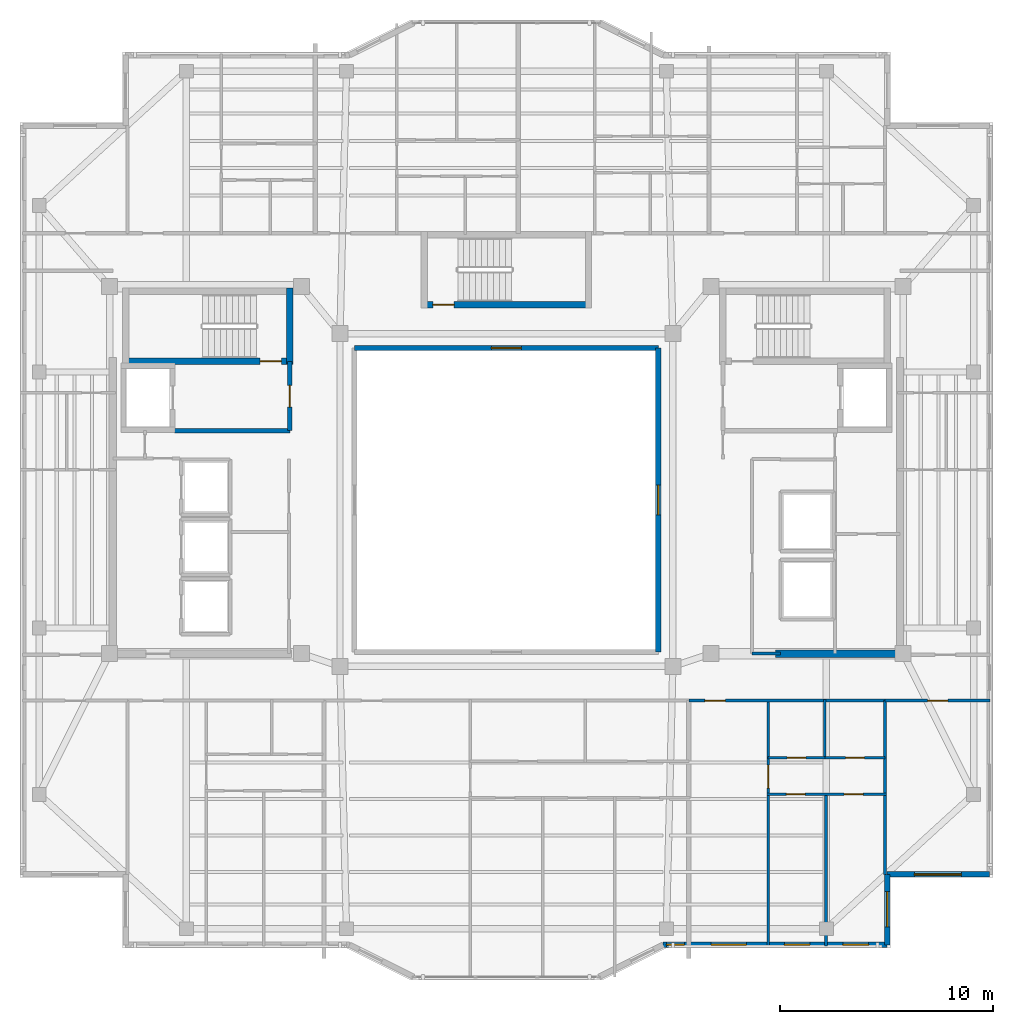
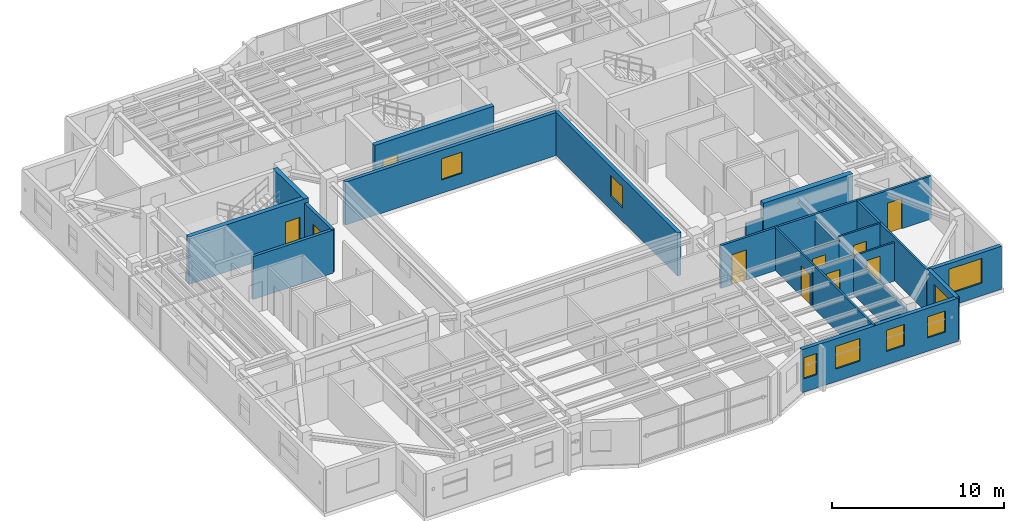
# One storey, part 8 of 15: 21 walls, 10 doors, 8 windows, 18 openings.
"""IFC4 building model written with IfcOpenShell, lengths in metres."""

from ifc_helpers import new_model, si_unit, direction, frame, frame_2d, origin, place, context, subcontext, project, spatial, rectangle, extrude, material, layer, layer_set, type_object, element, fill, save


model = new_model("IFC4")

# Units and contexts
model_context = context("Model", 3, precision=1e-05, world=origin(), true_north=direction((0.0, 1.0)))
body_context = subcontext(model_context, "Body", "Model", "MODEL_VIEW")
ifc_project = project(units=[si_unit("LENGTHUNIT", "METRE"), si_unit("AREAUNIT", "SQUARE_METRE"), si_unit("VOLUMEUNIT", "CUBIC_METRE"), si_unit("PLANEANGLEUNIT", "RADIAN"), si_unit("MASSUNIT", "GRAM", prefix="KILO")], contexts=[model_context])

# Site, building, storey
site_placement = place(None, origin())
site = spatial("IfcSite", under=ifc_project, at=site_placement, CompositionType="ELEMENT")
building_placement = place(site_placement, origin())
building = spatial("IfcBuilding", under=site, at=building_placement, Name="Tarnavaz Court Tower", CompositionType="ELEMENT")
storey_placement = place(building_placement, frame((0.0, 0.0, 268.300048828125)))
storey = spatial("IfcBuildingStorey", under=building, at=storey_placement, Name="L73", CompositionType="ELEMENT", Elevation=268.300048828125)

# Wall, opening, door
ifc_material_1 = material(Name="Concrete C50/60", Category="concrete")
ifc_layer_1 = layer(ifc_material_1, 0.300048828125)
ifc_layer_set_1 = layer_set([ifc_layer_1], Name="Concrete C50/60")
wall_type_1 = type_object("IfcWallType", Name="WL-CORE-300-C50", PredefinedType="SHEAR", material=ifc_layer_set_1)
wall_1_placement = place(storey_placement, frame((-18.0, 6.5, 0.0), z_axis=(0.0, 0.0, 1.0), x_axis=(1.0, 0.0, 0.0)))
wall_1 = element("IfcWall", 1, at=wall_1_placement, inside=storey, type_object=wall_type_1, Name="L73 West Stair Core Wall 002", PredefinedType="SHEAR", context=body_context, shape_type="SweptSolid", body=[
    extrude(rectangle(XDim=8.0, YDim=0.300048828125, at=frame_2d((4.0, 0.0))), origin(), (0.0, 0.0, 1.0), 3.349853515625),
])
opening_1_placement = place(wall_1_placement, frame((6.449951171875, 0.0, 0.0)))
opening_1 = element("IfcOpeningElement", 2, at=opening_1_placement, cuts=wall_1, Name="Opening D01", PredefinedType="OPENING", context=body_context, shape_type="SweptSolid", body=[
    extrude(rectangle(XDim=1.0, YDim=2.14990234375, at=frame_2d((0.5, 1.074951171875))), frame((0.0, 0.159912109375, 0.0), z_axis=(0.0, -1.0, 0.0), x_axis=(1.0, 0.0, 0.0)), (0.0, 0.0, 1.0), 0.320068359375),
])
ifc_material_2 = material(Name="Fire-Rated Hardwood Timber Core", Category="wood")
door_type_1 = type_object("IfcDoorType", Name="DR-FD90-1000", OperationType="NOTDEFINED", PredefinedType="DOOR", material=ifc_material_2)
door_1_placement = place(opening_1_placement, origin())
door_1 = element("IfcDoor", 3, at=door_1_placement, inside=storey, type_object=door_type_1, Name="L73 Stair ST-W1 Exit Door", OperationType="SINGLE_SWING_LEFT", OverallHeight=2.14990234375, OverallWidth=1.0, PredefinedType="DOOR", context=body_context, shape_type="SweptSolid", body=[
    extrude(rectangle(XDim=1.0, YDim=2.14990234375, at=frame_2d((0.5, 1.074951171875))), frame((0.0, 0.02490234375, 0.0), z_axis=(0.0, -1.0, 0.0), x_axis=(1.0, 0.0, 0.0)), (0.0, 0.0, 1.0), 0.050048828125),
])
fill(opening_1, door_1)

# Wall
wall_2_placement = place(storey_placement, frame((-10.14990234375, 6.35009765625, 0.0), z_axis=(0.0, 0.0, 1.0), x_axis=(0.0, 1.0, 0.0)))
element("IfcWall", 4, at=wall_2_placement, inside=storey, type_object=wall_type_1, Name="L73 West Stair Core Wall 004", PredefinedType="SHEAR", context=body_context, shape_type="SweptSolid", body=[
    extrude(rectangle(XDim=3.58984375, YDim=0.300048828125, at=frame_2d((1.794921875, 0.0))), origin(), (0.0, 0.0, 1.0), 3.349853515625),
])

# Wall, opening, door
wall_3_placement = place(storey_placement, frame((-4.0, 9.14990234375, 0.0), z_axis=(0.0, 0.0, 1.0), x_axis=(1.0, 0.0, 0.0)))
wall_3 = element("IfcWall", 5, at=wall_3_placement, inside=storey, type_object=wall_type_1, Name="L73 North Stair Core Wall 010", PredefinedType="SHEAR", context=body_context, shape_type="SweptSolid", body=[
    extrude(rectangle(XDim=8.0, YDim=0.300048828125, at=frame_2d((4.0, 0.0))), origin(), (0.0, 0.0, 1.0), 3.349853515625),
])
opening_2_placement = place(wall_3_placement, frame((0.550048828125, 0.0, 0.0)))
opening_2 = element("IfcOpeningElement", 6, at=opening_2_placement, cuts=wall_3, Name="Opening D01", PredefinedType="OPENING", context=body_context, shape_type="SweptSolid", body=[
    extrude(rectangle(XDim=1.0, YDim=2.14990234375, at=frame_2d((0.5, 1.074951171875))), frame((0.0, 0.159912109375, 0.0), z_axis=(0.0, -1.0, 0.0), x_axis=(1.0, 0.0, 0.0)), (0.0, 0.0, 1.0), 0.320068359375),
])
door_2_placement = place(opening_2_placement, origin())
door_2 = element("IfcDoor", 7, at=door_2_placement, inside=storey, type_object=door_type_1, Name="L73 Stair ST-N1 Exit Door", OperationType="SINGLE_SWING_LEFT", OverallHeight=2.14990234375, OverallWidth=1.0, PredefinedType="DOOR", context=body_context, shape_type="SweptSolid", body=[
    extrude(rectangle(XDim=1.0, YDim=2.14990234375, at=frame_2d((0.5, 1.074951171875))), frame((0.0, 0.02490234375, 0.0), z_axis=(0.0, -1.0, 0.0), x_axis=(1.0, 0.0, 0.0)), (0.0, 0.0, 1.0), 0.050048828125),
])
fill(opening_2, door_2)

# Wall
ifc_layer_2 = layer(ifc_material_1, 0.35009765625)
ifc_layer_set_2 = layer_set([ifc_layer_2], Name="Concrete C50/60")
wall_type_2 = type_object("IfcWallType", Name="WL-CORE-350-C50", PredefinedType="SHEAR", material=ifc_layer_set_2)
wall_4_placement = place(storey_placement, frame((12.625, -7.199951171875, 0.0), z_axis=(0.0, 0.0, 1.0), x_axis=(1.0, 0.0, 0.0)))
element("IfcWall", 8, at=wall_4_placement, inside=storey, type_object=wall_type_2, Name="L73 East Core South Shear Wall 048", PredefinedType="SHEAR", context=body_context, shape_type="SweptSolid", body=[
    extrude(rectangle(XDim=6.0, YDim=0.35009765625, at=frame_2d((3.0, 0.0))), origin(), (0.0, 0.0, 1.0), 3.349853515625),
])

# Wall, opening, window
ifc_material_3 = material(Name="Precast Concrete C40/50", Category="concrete")
ifc_layer_3 = layer(ifc_material_3, 0.260009765625)
ifc_layer_set_3 = layer_set([ifc_layer_3], Name="Precast Concrete C40/50")
wall_type_3 = type_object("IfcWallType", Name="WL-EXT-260", PredefinedType="SOLIDWALL", material=ifc_layer_set_3)
wall_5_placement = place(storey_placement, frame((22.64990234375, -17.550048828125, 0.0), z_axis=(0.0, 0.0, 1.0), x_axis=(-1.0, 0.0, 0.0)))
wall_5 = element("IfcWall", 9, at=wall_5_placement, inside=storey, type_object=wall_type_3, Name="L73 Exterior Terracotta Facade Wall 13", PredefinedType="SOLIDWALL", context=body_context, shape_type="SweptSolid", body=[
    extrude(rectangle(XDim=4.7998046875, YDim=0.260009765625, at=frame_2d((2.39990234375, 0.0))), origin(), (0.0, 0.0, 1.0), 3.050048828125),
])
opening_3_placement = place(wall_5_placement, frame((1.3251953125, 0.0, 0.89990234375)))
opening_3 = element("IfcOpeningElement", 10, at=opening_3_placement, cuts=wall_5, Name="Opening W07", PredefinedType="OPENING", context=body_context, shape_type="SweptSolid", body=[
    extrude(rectangle(XDim=2.199951171875, YDim=1.75, at=frame_2d((1.10009765625, 0.875))), frame((0.0, 0.139892578125, 0.0), z_axis=(0.0, -1.0, 0.0), x_axis=(1.0, 0.0, 0.0)), (0.0, 0.0, 1.0), 0.280029296875),
])
ifc_material_4 = material(Name="Double-Glazed Solar Low-E Glass", Category="glass")
window_type_1 = type_object("IfcWindowType", Name="WN-APT-2200", PartitioningType="TRIPLE_PANEL_VERTICAL", PredefinedType="WINDOW", material=ifc_material_4)
window_1_placement = place(opening_3_placement, origin())
window_1 = element("IfcWindow", 11, at=window_1_placement, inside=storey, type_object=window_type_1, Name="L73 South-East Corner Reading Room Window", OverallHeight=1.75, OverallWidth=2.199951171875, PartitioningType="SINGLE_PANEL", PredefinedType="WINDOW", context=body_context, shape_type="SweptSolid", body=[
    extrude(rectangle(XDim=2.199951171875, YDim=1.75, at=frame_2d((1.10009765625, 0.875))), frame((0.0, 0.030029296875, 0.0), z_axis=(0.0, -1.0, 0.0), x_axis=(1.0, 0.0, 0.0)), (0.0, 0.0, 1.0), 0.06005859375),
])
fill(opening_3, window_1)

wall_6_placement = place(storey_placement, frame((17.85009765625, -17.550048828125, 0.0), z_axis=(0.0, 0.0, 1.0), x_axis=(0.0, -1.0, 0.0)))
wall_6 = element("IfcWall", 12, at=wall_6_placement, inside=storey, type_object=wall_type_3, Name="L73 Exterior Terracotta Facade Wall 14", PredefinedType="SOLIDWALL", context=body_context, shape_type="SweptSolid", body=[
    extrude(rectangle(XDim=3.300048828125, YDim=0.260009765625, at=frame_2d((1.64990234375, 0.0))), origin(), (0.0, 0.0, 1.0), 3.050048828125),
])
opening_4_placement = place(wall_6_placement, frame((0.8076171875, 0.0, 0.89990234375)))
opening_4 = element("IfcOpeningElement", 13, at=opening_4_placement, cuts=wall_6, Name="Opening W02", PredefinedType="OPENING", context=body_context, shape_type="SweptSolid", body=[
    extrude(rectangle(XDim=1.64990234375, YDim=1.60009765625, at=frame_2d((0.824951171875, 0.800048828125))), frame((0.0, 0.139892578125, 0.0), z_axis=(0.0, -1.0, 0.0), x_axis=(1.0, 0.0, 0.0)), (0.0, 0.0, 1.0), 0.280029296875),
])
window_type_2 = type_object("IfcWindowType", Name="WN-APT-1650", PartitioningType="DOUBLE_PANEL_VERTICAL", PredefinedType="WINDOW", material=ifc_material_4)
window_2_placement = place(opening_4_placement, origin())
window_2 = element("IfcWindow", 14, at=window_2_placement, inside=storey, type_object=window_type_2, Name="L73 Flat 06 Bedroom 2 Window", OverallHeight=1.60009765625, OverallWidth=1.64990234375, PartitioningType="SINGLE_PANEL", PredefinedType="WINDOW", context=body_context, shape_type="SweptSolid", body=[
    extrude(rectangle(XDim=1.64990234375, YDim=1.60009765625, at=frame_2d((0.824951171875, 0.800048828125))), frame((0.0, 0.030029296875, 0.0), z_axis=(0.0, -1.0, 0.0), x_axis=(1.0, 0.0, 0.0)), (0.0, 0.0, 1.0), 0.06005859375),
])
fill(opening_4, window_2)

# Wall, openings, windows
wall_7_placement = place(storey_placement, frame((17.85009765625, -20.85009765625, 0.0), z_axis=(0.0, 0.0, 1.0), x_axis=(-1.0, 0.0, 0.0)))
wall_7 = element("IfcWall", 15, at=wall_7_placement, inside=storey, type_object=wall_type_3, Name="L73 Exterior Terracotta Facade Wall 15", PredefinedType="SOLIDWALL", context=body_context, shape_type="SweptSolid", body=[
    extrude(rectangle(XDim=10.5, YDim=0.260009765625, at=frame_2d((5.25, 0.0))), origin(), (0.0, 0.0, 1.0), 3.050048828125),
])
opening_5_placement = place(wall_7_placement, frame((0.875, 0.0, 0.949951171875)))
opening_5 = element("IfcOpeningElement", 16, at=opening_5_placement, cuts=wall_7, Name="Opening W05", PredefinedType="OPENING", context=body_context, shape_type="SweptSolid", body=[
    extrude(rectangle(XDim=1.199951171875, YDim=1.5, at=frame_2d((0.60009765625, 0.75))), frame((0.0, 0.139892578125, 0.0), z_axis=(0.0, -1.0, 0.0), x_axis=(1.0, 0.0, 0.0)), (0.0, 0.0, 1.0), 0.280029296875),
])
opening_6_placement = place(wall_7_placement, frame((3.625, 0.0, 0.949951171875)))
opening_6 = element("IfcOpeningElement", 17, at=opening_6_placement, cuts=wall_7, Name="Opening W05", PredefinedType="OPENING", context=body_context, shape_type="SweptSolid", body=[
    extrude(rectangle(XDim=1.199951171875, YDim=1.5, at=frame_2d((0.60009765625, 0.75))), frame((0.0, 0.139892578125, 0.0), z_axis=(0.0, -1.0, 0.0), x_axis=(1.0, 0.0, 0.0)), (0.0, 0.0, 1.0), 0.280029296875),
])
opening_7_placement = place(wall_7_placement, frame((6.60009765625, 0.0, 0.89990234375)))
opening_7 = element("IfcOpeningElement", 18, at=opening_7_placement, cuts=wall_7, Name="Opening W02", PredefinedType="OPENING", context=body_context, shape_type="SweptSolid", body=[
    extrude(rectangle(XDim=1.64990234375, YDim=1.60009765625, at=frame_2d((0.824951171875, 0.800048828125))), frame((0.0, 0.139892578125, 0.0), z_axis=(0.0, -1.0, 0.0), x_axis=(1.0, 0.0, 0.0)), (0.0, 0.0, 1.0), 0.280029296875),
])
opening_8_placement = place(wall_7_placement, frame((9.5048828125, 0.0, 0.949951171875)))
opening_8 = element("IfcOpeningElement", 19, at=opening_8_placement, cuts=wall_7, Name="Opening W15", PredefinedType="OPENING", context=body_context, shape_type="SweptSolid", body=[
    extrude(rectangle(XDim=0.85009765625, YDim=1.5, at=frame_2d((0.425048828125, 0.75))), frame((0.0, 0.139892578125, 0.0), z_axis=(0.0, -1.0, 0.0), x_axis=(1.0, 0.0, 0.0)), (0.0, 0.0, 1.0), 0.280029296875),
])
window_type_3 = type_object("IfcWindowType", Name="WN-APT-1200", PartitioningType="SINGLE_PANEL", PredefinedType="WINDOW", material=ifc_material_4)
window_3_placement = place(opening_5_placement, origin())
window_3 = element("IfcWindow", 20, at=window_3_placement, inside=storey, type_object=window_type_3, Name="L73 Flat 06 Bedroom 2 Window", OverallHeight=1.5, OverallWidth=1.199951171875, PartitioningType="SINGLE_PANEL", PredefinedType="WINDOW", context=body_context, shape_type="SweptSolid", body=[
    extrude(rectangle(XDim=1.199951171875, YDim=1.5, at=frame_2d((0.60009765625, 0.75))), frame((0.0, 0.030029296875, 0.0), z_axis=(0.0, -1.0, 0.0), x_axis=(1.0, 0.0, 0.0)), (0.0, 0.0, 1.0), 0.06005859375),
])
fill(opening_5, window_3)
window_4_placement = place(opening_6_placement, origin())
window_4 = element("IfcWindow", 21, at=window_4_placement, inside=storey, type_object=window_type_3, Name="L73 Flat 06 Principal Bedroom Window", OverallHeight=1.5, OverallWidth=1.199951171875, PartitioningType="SINGLE_PANEL", PredefinedType="WINDOW", context=body_context, shape_type="SweptSolid", body=[
    extrude(rectangle(XDim=1.199951171875, YDim=1.5, at=frame_2d((0.60009765625, 0.75))), frame((0.0, 0.030029296875, 0.0), z_axis=(0.0, -1.0, 0.0), x_axis=(1.0, 0.0, 0.0)), (0.0, 0.0, 1.0), 0.06005859375),
])
fill(opening_6, window_4)
window_5_placement = place(opening_7_placement, origin())
window_5 = element("IfcWindow", 22, at=window_5_placement, inside=storey, type_object=window_type_2, Name="L73 Flat 06 Living and Dining Room Window", OverallHeight=1.60009765625, OverallWidth=1.64990234375, PartitioningType="SINGLE_PANEL", PredefinedType="WINDOW", context=body_context, shape_type="SweptSolid", body=[
    extrude(rectangle(XDim=1.64990234375, YDim=1.60009765625, at=frame_2d((0.824951171875, 0.800048828125))), frame((0.0, 0.030029296875, 0.0), z_axis=(0.0, -1.0, 0.0), x_axis=(1.0, 0.0, 0.0)), (0.0, 0.0, 1.0), 0.06005859375),
])
fill(opening_7, window_5)
window_type_4 = type_object("IfcWindowType", Name="WN-APT-850", PartitioningType="SINGLE_PANEL", PredefinedType="WINDOW", material=ifc_material_4)
window_6_placement = place(opening_8_placement, origin())
window_6 = element("IfcWindow", 23, at=window_6_placement, inside=storey, type_object=window_type_4, Name="L73 Flat 07 Bedroom 3 Window", OverallHeight=1.5, OverallWidth=0.85009765625, PartitioningType="SINGLE_PANEL", PredefinedType="WINDOW", context=body_context, shape_type="SweptSolid", body=[
    extrude(rectangle(XDim=0.85009765625, YDim=1.5, at=frame_2d((0.425048828125, 0.75))), frame((0.0, 0.030029296875, 0.0), z_axis=(0.0, -1.0, 0.0), x_axis=(1.0, 0.0, 0.0)), (0.0, 0.0, 1.0), 0.06005859375),
])
fill(opening_8, window_6)

# Wall, opening, door
ifc_material_5 = material(Name="Gypsum Fire-Board on Acoustic Metal Stud", Category="masonry")
ifc_layer_4 = layer(ifc_material_5, 0.14990234375)
ifc_layer_set_4 = layer_set([ifc_layer_4], Name="Gypsum Fire-Board on Acoustic Metal Stud")
wall_type_4 = type_object("IfcWallType", Name="WL-FIRE-150", PredefinedType="PARTITIONING", material=ifc_layer_set_4)
wall_8_placement = place(storey_placement, frame((8.550048828125, -9.39990234375, 0.0), z_axis=(0.0, 0.0, 1.0), x_axis=(1.0, 0.0, 0.0)))
wall_8 = element("IfcWall", 24, at=wall_8_placement, inside=storey, type_object=wall_type_4, Name="L73 SE Lobby Wall 063", PredefinedType="PARTITIONING", context=body_context, shape_type="SweptSolid", body=[
    extrude(rectangle(XDim=9.199951171875, YDim=0.14990234375, at=frame_2d((4.60009765625, 0.0))), origin(), (0.0, 0.0, 1.0), 3.050048828125),
])
opening_9_placement = place(wall_8_placement, frame((0.75, 0.0, 0.0)))
opening_9 = element("IfcOpeningElement", 25, at=opening_9_placement, cuts=wall_8, Name="Opening D06", PredefinedType="OPENING", context=body_context, shape_type="SweptSolid", body=[
    extrude(rectangle(XDim=0.9599609375, YDim=2.14990234375, at=frame_2d((0.47998046875, 1.074951171875))), frame((0.0, 0.0849609375, 0.0), z_axis=(0.0, -1.0, 0.0), x_axis=(1.0, 0.0, 0.0)), (0.0, 0.0, 1.0), 0.169921875),
])
door_type_2 = type_object("IfcDoorType", Name="DR-FD60-950", OperationType="NOTDEFINED", PredefinedType="DOOR", material=ifc_material_2)
door_3_placement = place(opening_9_placement, origin())
door_3 = element("IfcDoor", 26, at=door_3_placement, inside=storey, type_object=door_type_2, Name="L73 Flat 06 Entrance Door", OperationType="SINGLE_SWING_RIGHT", OverallHeight=2.14990234375, OverallWidth=0.9599609375, PredefinedType="DOOR", context=body_context, shape_type="SweptSolid", body=[
    extrude(rectangle(XDim=0.9599609375, YDim=2.14990234375, at=frame_2d((0.47998046875, 1.074951171875))), frame((0.0, 0.02490234375, 0.0), z_axis=(0.0, -1.0, 0.0), x_axis=(1.0, 0.0, 0.0)), (0.0, 0.0, 1.0), 0.050048828125),
])
fill(opening_9, door_3)

wall_9_placement = place(storey_placement, frame((17.75, -9.39990234375, 0.0), z_axis=(0.0, 0.0, 1.0), x_axis=(1.0, 0.0, 0.0)))
wall_9 = element("IfcWall", 27, at=wall_9_placement, inside=storey, type_object=wall_type_4, Name="L73 Interior Partition 122", PredefinedType="PARTITIONING", context=body_context, shape_type="SweptSolid", body=[
    extrude(rectangle(XDim=4.929931640625, YDim=0.14990234375, at=frame_2d((2.46484375, 0.0))), origin(), (0.0, 0.0, 1.0), 3.050048828125),
])
opening_10_placement = place(wall_9_placement, frame((1.989990234375, 0.0, 0.0)))
opening_10 = element("IfcOpeningElement", 28, at=opening_10_placement, cuts=wall_9, Name="Opening D13", PredefinedType="OPENING", context=body_context, shape_type="SweptSolid", body=[
    extrude(rectangle(XDim=0.949951171875, YDim=2.14990234375, at=frame_2d((0.47509765625, 1.074951171875))), frame((0.0, 0.0849609375, 0.0), z_axis=(0.0, -1.0, 0.0), x_axis=(1.0, 0.0, 0.0)), (0.0, 0.0, 1.0), 0.169921875),
])
ifc_material_6 = material(Name="Engineered Oak Timber", Category="wood")
door_type_3 = type_object("IfcDoorType", Name="DR-INT-950", OperationType="NOTDEFINED", PredefinedType="DOOR", material=ifc_material_6)
door_4_placement = place(opening_10_placement, origin())
door_4 = element("IfcDoor", 29, at=door_4_placement, inside=storey, type_object=door_type_3, Name="L73 SE Reading Room Door", OperationType="SINGLE_SWING_RIGHT", OverallHeight=2.14990234375, OverallWidth=0.949951171875, PredefinedType="DOOR", context=body_context, shape_type="SweptSolid", body=[
    extrude(rectangle(XDim=0.949951171875, YDim=2.14990234375, at=frame_2d((0.47509765625, 1.074951171875))), frame((0.0, 0.02490234375, 0.0), z_axis=(0.0, -1.0, 0.0), x_axis=(1.0, 0.0, 0.0)), (0.0, 0.0, 1.0), 0.050048828125),
])
fill(opening_10, door_4)

# Wall
ifc_material_7 = material(Name="Autoclaved Aerated Concrete Blockwork", Category="masonry")
ifc_layer_5 = layer(ifc_material_7, 0.199951171875)
ifc_layer_set_5 = layer_set([ifc_layer_5], Name="Autoclaved Aerated Concrete Blockwork")
wall_type_5 = type_object("IfcWallType", Name="WL-FIRE-200", PredefinedType="SOLIDWALL", material=ifc_layer_set_5)
wall_10_placement = place(storey_placement, frame((-15.550048828125, 3.25, 0.0), z_axis=(0.0, 0.0, 1.0), x_axis=(1.0, 0.0, 0.0)))
element("IfcWall", 30, at=wall_10_placement, inside=storey, type_object=wall_type_5, Name="L73 West Firefighting Lobby Wall 013", PredefinedType="SOLIDWALL", context=body_context, shape_type="SweptSolid", body=[
    extrude(rectangle(XDim=5.400146484375, YDim=0.199951171875, at=frame_2d((2.7001953125, 0.0))), origin(), (0.0, 0.0, 1.0), 3.050048828125),
])

# Wall, opening, door
wall_11_placement = place(storey_placement, frame((-10.14990234375, 3.25, 0.0), z_axis=(0.0, 0.0, 1.0), x_axis=(0.0, 1.0, 0.0)))
wall_11 = element("IfcWall", 31, at=wall_11_placement, inside=storey, type_object=wall_type_5, Name="L73 West Firefighting Lobby Wall 014", PredefinedType="SOLIDWALL", context=body_context, shape_type="SweptSolid", body=[
    extrude(rectangle(XDim=3.25, YDim=0.199951171875, at=frame_2d((1.625, 0.0))), origin(), (0.0, 0.0, 1.0), 3.050048828125),
])
opening_11_placement = place(wall_11_placement, frame((1.10009765625, 0.0, 0.0)))
opening_11 = element("IfcOpeningElement", 32, at=opening_11_placement, cuts=wall_11, Name="Opening D05", PredefinedType="OPENING", context=body_context, shape_type="SweptSolid", body=[
    extrude(rectangle(XDim=1.02001953125, YDim=2.14990234375, at=frame_2d((0.510009765625, 1.074951171875))), frame((0.0, 0.10986328125, 0.0), z_axis=(0.0, -1.0, 0.0), x_axis=(1.0, 0.0, 0.0)), (0.0, 0.0, 1.0), 0.219970703125),
])
door_type_4 = type_object("IfcDoorType", Name="DR-FD60-1000", OperationType="NOTDEFINED", PredefinedType="DOOR", material=ifc_material_2)
door_5_placement = place(opening_11_placement, origin())
door_5 = element("IfcDoor", 33, at=door_5_placement, inside=storey, type_object=door_type_4, Name="L73 West Firefighting Lobby Door", OperationType="SINGLE_SWING_RIGHT", OverallHeight=2.14990234375, OverallWidth=1.02001953125, PredefinedType="DOOR", context=body_context, shape_type="SweptSolid", body=[
    extrude(rectangle(XDim=1.02001953125, YDim=2.14990234375, at=frame_2d((0.510009765625, 1.074951171875))), frame((0.0, 0.02490234375, 0.0), z_axis=(0.0, -1.0, 0.0), x_axis=(1.0, 0.0, 0.0)), (0.0, 0.0, 1.0), 0.050048828125),
])
fill(opening_11, door_5)

ifc_material_8 = material(Name="Moisture-Resistant Gypsum Board Partition", Category="masonry")
ifc_layer_6 = layer(ifc_material_8, 0.1201171875)
ifc_layer_set_6 = layer_set([ifc_layer_6], Name="Moisture-Resistant Gypsum Board Partition")
wall_type_6 = type_object("IfcWallType", Name="WL-PART-120", PredefinedType="PARTITIONING", material=ifc_layer_set_6)
wall_12_placement = place(storey_placement, frame((12.27197265625, -20.89990234375, 0.0), z_axis=(0.0, 0.0, 1.0), x_axis=(0.0, 1.0, 0.0)))
wall_12 = element("IfcWall", 34, at=wall_12_placement, inside=storey, type_object=wall_type_6, Name="L73 Interior Partition 095", PredefinedType="PARTITIONING", context=body_context, shape_type="SweptSolid", body=[
    extrude(rectangle(XDim=11.559814453125, YDim=0.1201171875, at=frame_2d((5.77978515625, 0.0))), origin(), (0.0, 0.0, 1.0), 3.050048828125),
])
opening_12_placement = place(wall_12_placement, frame((7.39501953125, 0.0, 0.0)))
opening_12 = element("IfcOpeningElement", 35, at=opening_12_placement, cuts=wall_12, Name="Opening D12", PredefinedType="OPENING", context=body_context, shape_type="SweptSolid", body=[
    extrude(rectangle(XDim=1.080078125, YDim=2.14990234375, at=frame_2d((0.5400390625, 1.074951171875))), frame((0.0, 0.070068359375, 0.0), z_axis=(0.0, -1.0, 0.0), x_axis=(1.0, 0.0, 0.0)), (0.0, 0.0, 1.0), 0.14013671875),
])
door_type_5 = type_object("IfcDoorType", Name="DR-INT-1100", OperationType="NOTDEFINED", PredefinedType="DOOR", material=ifc_material_6)
door_6_placement = place(opening_12_placement, origin())
door_6 = element("IfcDoor", 36, at=door_6_placement, inside=storey, type_object=door_type_5, Name="L73 Flat 06 Foyer Door", OperationType="SINGLE_SWING_LEFT", OverallHeight=2.14990234375, OverallWidth=1.080078125, PredefinedType="DOOR", context=body_context, shape_type="SweptSolid", body=[
    extrude(rectangle(XDim=1.080078125, YDim=2.14990234375, at=frame_2d((0.5400390625, 1.074951171875))), frame((0.0, 0.02490234375, 0.0), z_axis=(0.0, -1.0, 0.0), x_axis=(1.0, 0.0, 0.0)), (0.0, 0.0, 1.0), 0.050048828125),
])
fill(opening_12, door_6)

wall_13_placement = place(storey_placement, frame((12.27197265625, -12.080078125, 0.0), z_axis=(0.0, 0.0, 1.0), x_axis=(1.0, 0.0, 0.0)))
wall_13 = element("IfcWall", 37, at=wall_13_placement, inside=storey, type_object=wall_type_6, Name="L73 Interior Partition 096", PredefinedType="PARTITIONING", context=body_context, shape_type="SweptSolid", body=[
    extrude(rectangle(XDim=2.655029296875, YDim=0.1201171875, at=frame_2d((1.32763671875, 0.0))), origin(), (0.0, 0.0, 1.0), 2.73486328125),
])
opening_13_placement = place(wall_13_placement, frame((0.886962890625, 0.0, 0.0)))
opening_13 = element("IfcOpeningElement", 38, at=opening_13_placement, cuts=wall_13, Name="Opening D14", PredefinedType="OPENING", context=body_context, shape_type="SweptSolid", body=[
    extrude(rectangle(XDim=0.8798828125, YDim=2.10009765625, at=frame_2d((0.43994140625, 1.050048828125))), frame((0.0, 0.070068359375, 0.0), z_axis=(0.0, -1.0, 0.0), x_axis=(1.0, 0.0, 0.0)), (0.0, 0.0, 1.0), 0.14013671875),
])
door_type_6 = type_object("IfcDoorType", Name="DR-INT-900", OperationType="NOTDEFINED", PredefinedType="DOOR", material=ifc_material_6)
door_7_placement = place(opening_13_placement, origin())
door_7 = element("IfcDoor", 39, at=door_7_placement, inside=storey, type_object=door_type_6, Name="L73 Flat 06 Kitchen Door", OperationType="SINGLE_SWING_RIGHT", OverallHeight=2.10009765625, OverallWidth=0.8798828125, PredefinedType="DOOR", context=body_context, shape_type="SweptSolid", body=[
    extrude(rectangle(XDim=0.8798828125, YDim=2.10009765625, at=frame_2d((0.43994140625, 1.050048828125))), frame((0.0, 0.02490234375, 0.0), z_axis=(0.0, -1.0, 0.0), x_axis=(1.0, 0.0, 0.0)), (0.0, 0.0, 1.0), 0.050048828125),
])
fill(opening_13, door_7)

wall_14_placement = place(storey_placement, frame((14.927001953125, -12.080078125, 0.0), z_axis=(0.0, 0.0, 1.0), x_axis=(1.0, 0.0, 0.0)))
wall_14 = element("IfcWall", 40, at=wall_14_placement, inside=storey, type_object=wall_type_6, Name="L73 Interior Partition 097", PredefinedType="PARTITIONING", context=body_context, shape_type="SweptSolid", body=[
    extrude(rectangle(XDim=2.822998046875, YDim=0.1201171875, at=frame_2d((1.41162109375, 0.0))), origin(), (0.0, 0.0, 1.0), 3.050048828125),
])
opening_14_placement = place(wall_14_placement, frame((0.971923828125, 0.0, 0.0)))
opening_14 = element("IfcOpeningElement", 41, at=opening_14_placement, cuts=wall_14, Name="Opening D14", PredefinedType="OPENING", context=body_context, shape_type="SweptSolid", body=[
    extrude(rectangle(XDim=0.8798828125, YDim=2.10009765625, at=frame_2d((0.43994140625, 1.050048828125))), frame((0.0, 0.070068359375, 0.0), z_axis=(0.0, -1.0, 0.0), x_axis=(1.0, 0.0, 0.0)), (0.0, 0.0, 1.0), 0.14013671875),
])
door_8_placement = place(opening_14_placement, origin())
door_8 = element("IfcDoor", 42, at=door_8_placement, inside=storey, type_object=door_type_6, Name="L73 Flat 06 Bathroom Door", OperationType="SINGLE_SWING_LEFT", OverallHeight=2.10009765625, OverallWidth=0.8798828125, PredefinedType="DOOR", context=body_context, shape_type="SweptSolid", body=[
    extrude(rectangle(XDim=0.8798828125, YDim=2.10009765625, at=frame_2d((0.43994140625, 1.050048828125))), frame((0.0, 0.02490234375, 0.0), z_axis=(0.0, -1.0, 0.0), x_axis=(1.0, 0.0, 0.0)), (0.0, 0.0, 1.0), 0.050048828125),
])
fill(opening_14, door_8)

# Wall, openings, doors
wall_15_placement = place(storey_placement, frame((12.2119140625, -13.7900390625, 0.0), z_axis=(0.0, 0.0, 1.0), x_axis=(1.0, 0.0, 0.0)))
wall_15 = element("IfcWall", 43, at=wall_15_placement, inside=storey, type_object=wall_type_6, Name="L73 Interior Partition 098", PredefinedType="PARTITIONING", context=body_context, shape_type="SweptSolid", body=[
    extrude(rectangle(XDim=5.59814453125, YDim=0.1201171875, at=frame_2d((2.799072265625, 0.0))), origin(), (0.0, 0.0, 1.0), 2.73486328125),
])
opening_15_placement = place(wall_15_placement, frame((0.9150390625, 0.0, 0.0)))
opening_15 = element("IfcOpeningElement", 44, at=opening_15_placement, cuts=wall_15, Name="Opening D14", PredefinedType="OPENING", context=body_context, shape_type="SweptSolid", body=[
    extrude(rectangle(XDim=0.8798828125, YDim=2.10009765625, at=frame_2d((0.43994140625, 1.050048828125))), frame((0.0, 0.070068359375, 0.0), z_axis=(0.0, -1.0, 0.0), x_axis=(1.0, 0.0, 0.0)), (0.0, 0.0, 1.0), 0.14013671875),
])
opening_16_placement = place(wall_15_placement, frame((3.6240234375, 0.0, 0.0)))
opening_16 = element("IfcOpeningElement", 45, at=opening_16_placement, cuts=wall_15, Name="Opening D14", PredefinedType="OPENING", context=body_context, shape_type="SweptSolid", body=[
    extrude(rectangle(XDim=0.8798828125, YDim=2.10009765625, at=frame_2d((0.43994140625, 1.050048828125))), frame((0.0, 0.070068359375, 0.0), z_axis=(0.0, -1.0, 0.0), x_axis=(1.0, 0.0, 0.0)), (0.0, 0.0, 1.0), 0.14013671875),
])
door_9_placement = place(opening_15_placement, origin())
door_9 = element("IfcDoor", 46, at=door_9_placement, inside=storey, type_object=door_type_6, Name="L73 Flat 06 Bedroom 1 Door", OperationType="SINGLE_SWING_RIGHT", OverallHeight=2.10009765625, OverallWidth=0.8798828125, PredefinedType="DOOR", context=body_context, shape_type="SweptSolid", body=[
    extrude(rectangle(XDim=0.8798828125, YDim=2.10009765625, at=frame_2d((0.43994140625, 1.050048828125))), frame((0.0, 0.02490234375, 0.0), z_axis=(0.0, -1.0, 0.0), x_axis=(1.0, 0.0, 0.0)), (0.0, 0.0, 1.0), 0.050048828125),
])
fill(opening_15, door_9)
door_10_placement = place(opening_16_placement, origin())
door_10 = element("IfcDoor", 47, at=door_10_placement, inside=storey, type_object=door_type_6, Name="L73 Flat 06 Bedroom 2 Door", OperationType="SINGLE_SWING_LEFT", OverallHeight=2.10009765625, OverallWidth=0.8798828125, PredefinedType="DOOR", context=body_context, shape_type="SweptSolid", body=[
    extrude(rectangle(XDim=0.8798828125, YDim=2.10009765625, at=frame_2d((0.43994140625, 1.050048828125))), frame((0.0, 0.02490234375, 0.0), z_axis=(0.0, -1.0, 0.0), x_axis=(1.0, 0.0, 0.0)), (0.0, 0.0, 1.0), 0.050048828125),
])
fill(opening_16, door_10)

# Walls
wall_16_placement = place(storey_placement, frame((14.927001953125, -12.139892578125, 0.0), z_axis=(0.0, 0.0, 1.0), x_axis=(0.0, 1.0, 0.0)))
element("IfcWall", 48, at=wall_16_placement, inside=storey, type_object=wall_type_6, Name="L73 Interior Partition 099", PredefinedType="PARTITIONING", context=body_context, shape_type="SweptSolid", body=[
    extrude(rectangle(XDim=2.7998046875, YDim=0.1201171875, at=frame_2d((1.39990234375, 0.0))), origin(), (0.0, 0.0, 1.0), 2.635009765625),
])
wall_17_placement = place(storey_placement, frame((14.98095703125, -20.89990234375, 0.0), z_axis=(0.0, 0.0, 1.0), x_axis=(0.0, 1.0, 0.0)))
element("IfcWall", 49, at=wall_17_placement, inside=storey, type_object=wall_type_6, Name="L73 Interior Partition 100", PredefinedType="PARTITIONING", context=body_context, shape_type="SweptSolid", body=[
    extrude(rectangle(XDim=7.169921875, YDim=0.1201171875, at=frame_2d((3.5849609375, 0.0))), origin(), (0.0, 0.0, 1.0), 2.635009765625),
])
ifc_material_9 = material(Name="Gypsum Plasterboard Acoustic Partition", Category="masonry")
ifc_layer_7 = layer(ifc_material_9, 0.139892578125)
ifc_layer_set_7 = layer_set([ifc_layer_7], Name="Gypsum Plasterboard Acoustic Partition")
wall_type_7 = type_object("IfcWallType", Name="WL-PART-150", PredefinedType="PARTITIONING", material=ifc_layer_set_7)
wall_18_placement = place(storey_placement, frame((11.52001953125, -7.199951171875, 0.0), z_axis=(0.0, 0.0, 1.0), x_axis=(1.0, 0.0, 0.0)))
element("IfcWall", 50, at=wall_18_placement, inside=storey, type_object=wall_type_7, Name="L73 Interior Partition 059", PredefinedType="PARTITIONING", context=body_context, shape_type="SweptSolid", body=[
    extrude(rectangle(XDim=1.330078125, YDim=0.139892578125, at=frame_2d((0.6650390625, 0.0))), origin(), (0.0, 0.0, 1.0), 2.219970703125),
])
wall_19_placement = place(storey_placement, frame((17.75, -17.550048828125, 0.0), z_axis=(0.0, 0.0, 1.0), x_axis=(0.0, 1.0, 0.0)))
element("IfcWall", 51, at=wall_19_placement, inside=storey, type_object=wall_type_7, Name="L73 Interior Partition 116", PredefinedType="PARTITIONING", context=body_context, shape_type="SweptSolid", body=[
    extrude(rectangle(XDim=8.150146484375, YDim=0.139892578125, at=frame_2d((4.0751953125, 0.0))), origin(), (0.0, 0.0, 1.0), 3.050048828125),
])

# Wall, opening, window
ifc_layer_8 = layer(ifc_material_3, 0.239990234375)
ifc_layer_set_8 = layer_set([ifc_layer_8], Name="Precast Concrete C40/50")
wall_type_8 = type_object("IfcWallType", Name="WL-WELL-240", PredefinedType="SOLIDWALL", material=ifc_layer_set_8)
wall_20_placement = place(storey_placement, frame((7.1201171875, -7.1201171875, 0.0), z_axis=(0.0, 0.0, 1.0), x_axis=(0.0, 1.0, 0.0)))
wall_20 = element("IfcWall", 52, at=wall_20_placement, inside=storey, type_object=wall_type_8, Name="L73 Badgir Light-Well Exterior Wall E", PredefinedType="SOLIDWALL", context=body_context, shape_type="SweptSolid", body=[
    extrude(rectangle(XDim=14.240234375, YDim=0.239990234375, at=frame_2d((7.1201171875, 0.0))), origin(), (0.0, 0.0, 1.0), 3.050048828125),
])
opening_17_placement = place(wall_20_placement, frame((6.419921875, 0.0, 0.949951171875)))
opening_17 = element("IfcOpeningElement", 53, at=opening_17_placement, cuts=wall_20, Name="Opening W13", PredefinedType="OPENING", context=body_context, shape_type="SweptSolid", body=[
    extrude(rectangle(XDim=1.39990234375, YDim=1.5, at=frame_2d((0.699951171875, 0.75))), frame((0.0, 0.1298828125, 0.0), z_axis=(0.0, -1.0, 0.0), x_axis=(1.0, 0.0, 0.0)), (0.0, 0.0, 1.0), 0.260009765625),
])
window_type_5 = type_object("IfcWindowType", Name="WN-WEL-1400", PartitioningType="SINGLE_PANEL", PredefinedType="WINDOW", material=ifc_material_4)
window_7_placement = place(opening_17_placement, origin())
window_7 = element("IfcWindow", 54, at=window_7_placement, inside=storey, type_object=window_type_5, Name="L73 Courtyard Gallery Window E", OverallHeight=1.5, OverallWidth=1.39990234375, PartitioningType="SINGLE_PANEL", PredefinedType="WINDOW", context=body_context, shape_type="SweptSolid", body=[
    extrude(rectangle(XDim=1.39990234375, YDim=1.5, at=frame_2d((0.699951171875, 0.75))), frame((0.0, 0.030029296875, 0.0), z_axis=(0.0, -1.0, 0.0), x_axis=(1.0, 0.0, 0.0)), (0.0, 0.0, 1.0), 0.06005859375),
])
fill(opening_17, window_7)

wall_21_placement = place(storey_placement, frame((7.1201171875, 7.1201171875, 0.0), z_axis=(0.0, 0.0, 1.0), x_axis=(-1.0, 0.0, 0.0)))
wall_21 = element("IfcWall", 55, at=wall_21_placement, inside=storey, type_object=wall_type_8, Name="L73 Badgir Light-Well Exterior Wall N", PredefinedType="SOLIDWALL", context=body_context, shape_type="SweptSolid", body=[
    extrude(rectangle(XDim=14.240234375, YDim=0.239990234375, at=frame_2d((7.1201171875, 0.0))), origin(), (0.0, 0.0, 1.0), 3.050048828125),
])
opening_18_placement = place(wall_21_placement, frame((6.419921875, 0.0, 0.949951171875)))
opening_18 = element("IfcOpeningElement", 56, at=opening_18_placement, cuts=wall_21, Name="Opening W13", PredefinedType="OPENING", context=body_context, shape_type="SweptSolid", body=[
    extrude(rectangle(XDim=1.39990234375, YDim=1.5, at=frame_2d((0.699951171875, 0.75))), frame((0.0, 0.1298828125, 0.0), z_axis=(0.0, -1.0, 0.0), x_axis=(1.0, 0.0, 0.0)), (0.0, 0.0, 1.0), 0.260009765625),
])
window_8_placement = place(opening_18_placement, origin())
window_8 = element("IfcWindow", 57, at=window_8_placement, inside=storey, type_object=window_type_5, Name="L73 Courtyard Gallery Window N", OverallHeight=1.5, OverallWidth=1.39990234375, PartitioningType="SINGLE_PANEL", PredefinedType="WINDOW", context=body_context, shape_type="SweptSolid", body=[
    extrude(rectangle(XDim=1.39990234375, YDim=1.5, at=frame_2d((0.699951171875, 0.75))), frame((0.0, 0.030029296875, 0.0), z_axis=(0.0, -1.0, 0.0), x_axis=(1.0, 0.0, 0.0)), (0.0, 0.0, 1.0), 0.06005859375),
])
fill(opening_18, window_8)

save(model, "model.ifc")
